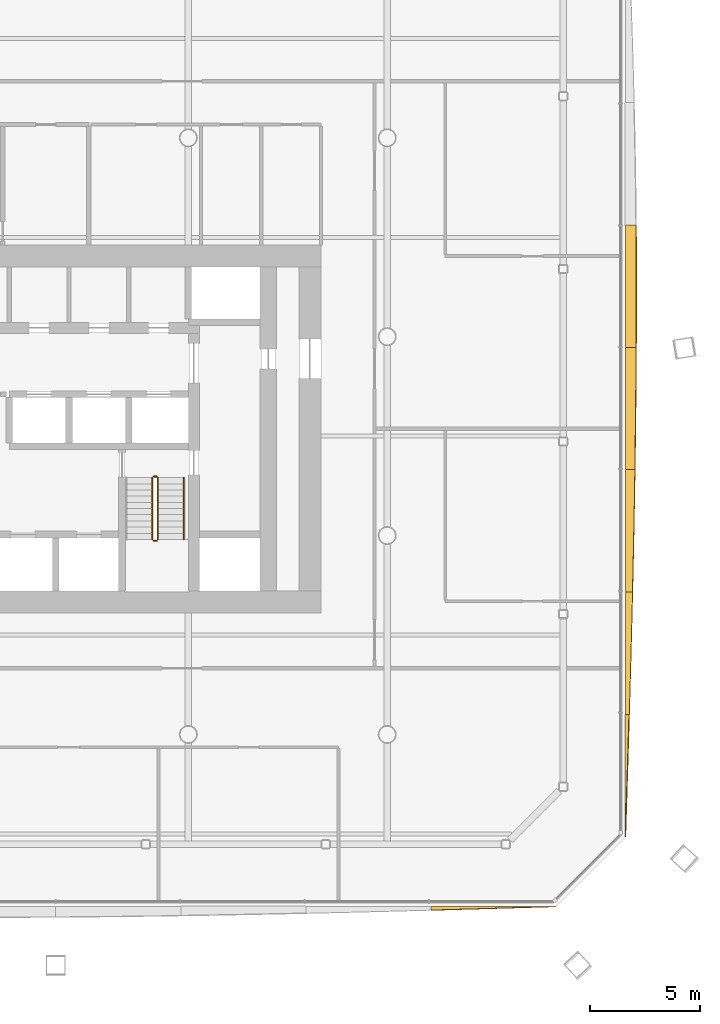
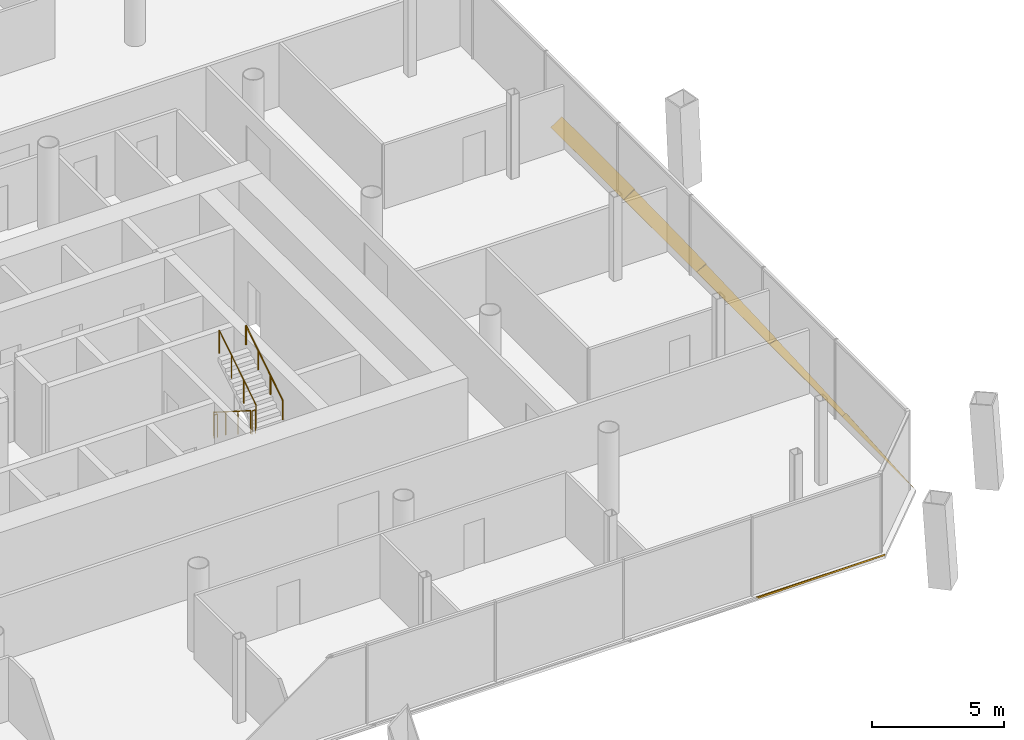
# One storey, part 18 of 20: 6 shading devices, 5 railings.
"""IFC4 building model written with IfcOpenShell, lengths in metres."""

from ifc_helpers import new_model, si_unit, direction, frame, origin, origin_2d, place, context, subcontext, project, spatial, polyline, circle, outline, extrude, material, layer, layer_set, type_object, element, save


model = new_model("IFC4")

# Units and contexts
model_context = context("Model", 3, precision=1e-05, world=origin(), true_north=direction((0.0, 1.0)))
body_context = subcontext(model_context, "Body", "Model", "MODEL_VIEW")
ifc_project = project(units=[si_unit("LENGTHUNIT", "METRE"), si_unit("AREAUNIT", "SQUARE_METRE"), si_unit("VOLUMEUNIT", "CUBIC_METRE"), si_unit("PLANEANGLEUNIT", "RADIAN"), si_unit("MASSUNIT", "GRAM", prefix="KILO")], contexts=[model_context])

# Site, building, storey
site_placement = place(None, origin())
site = spatial("IfcSite", under=ifc_project, at=site_placement, CompositionType="ELEMENT")
building_placement = place(site_placement, origin())
building = spatial("IfcBuilding", under=site, at=building_placement, Name="Tskaro Facet Tower", CompositionType="ELEMENT")
storey_placement = place(building_placement, frame((0.0, 0.0, 66.0)))
storey = spatial("IfcBuildingStorey", under=building, at=storey_placement, Name="L15", CompositionType="ELEMENT", Elevation=66.0)

# Shading devices
ifc_material_1 = material(Name="Bronze anodised aluminium 6063-T6", Category="aluminium")
ifc_layer = layer(ifc_material_1, 0.06005859375, Name="Bronze anodised aluminium 6063-T6")
ifc_layer_set = layer_set([ifc_layer], Name="Bronze anodised aluminium 6063-T6")
shading_device_type = type_object("IfcShadingDeviceType", Name="Bronze sun blade (FN1)", PredefinedType="USERDEFINED", material=ifc_layer_set)
shading_device_1_placement = place(storey_placement, frame((19.976318359375, -25.78369140625, 0.054443359375), z_axis=(-1.278346e-05, 0.422283570937, 0.906463780608), x_axis=(0.999999999918, 5.398245e-06, 1.1587744e-05)))
element("IfcShadingDevice", 1, at=shading_device_1_placement, inside=storey, type_object=shading_device_type, Name="Fin blade south 8", ObjectType="FIN", PredefinedType="USERDEFINED", context=body_context, shape_type="SweptSolid", body=[
    extrude(outline(polyline([(0.0, 0.0), (5.658691405787637, 0.0), (4.951416014846747, -0.022610355675083474), (4.243896484791985, -0.045545112559066625), (3.5366210938510947, -0.0681554682341501), (2.8293457029102043, -0.09076582390923357), (2.1220703104582057, -0.11305177837541736), (1.4145507815281975, -0.13521952478258992), (0.7072753917120611, -0.15706286998086277), (-9.331142416655035e-10, -0.1788031186041914), (0.0, 0.0)])), origin(), (0.0, 0.0, -1.0), 0.06005859375),
])
shading_device_2_placement = place(storey_placement, frame((28.7705078125, -22.635009765625, 0.0458984375), z_axis=(-0.643504002826, 3.4788268e-05, 0.765442745825), x_axis=(2.238639e-05, 0.999999999395, -2.6628427e-05)))
element("IfcShadingDevice", 2, at=shading_device_2_placement, inside=storey, type_object=shading_device_type, Name="Fin blade east 1", ObjectType="FIN", PredefinedType="USERDEFINED", context=body_context, shape_type="SweptSolid", body=[
    extrude(outline(polyline([(0.0, 0.0), (5.539062496648248, 0.0), (5.539062503379998, -0.21800149812182767), (4.846679686243093, -0.19165054007402205), (4.154296870141843, -0.16495560088620076), (3.461914060541673, -0.13810355622884446), (2.76953124651173, -0.11072065476099194), (2.077148438982868, -0.08318064782360438), (1.3847656194874975, -0.05561087068527132), (0.6923828129942893, -0.027726882607868125), (0.0, 0.0)])), origin(), (0.0, 0.0, -1.0), 0.06005859375),
])
shading_device_3_placement = place(storey_placement, frame((28.78857421875, -17.095947265625, 0.056396484375), z_axis=(-0.342051091563, 3.579621e-06, 0.939681355965), x_axis=(1.224413e-06, 0.999999999994, -3.363703e-06)))
element("IfcShadingDevice", 3, at=shading_device_3_placement, inside=storey, type_object=shading_device_type, Name="Fin blade east 2", ObjectType="FIN", PredefinedType="USERDEFINED", context=body_context, shape_type="SweptSolid", body=[
    extrude(outline(polyline([(0.0, 0.0), (5.539306640589511, 0.0), (5.539306640682873, -0.3341089195876263), (4.8469238283905485, -0.31642102664447636), (4.154296874875369, -0.2982743049142314), (3.461914062730835, -0.2792723228687904), (2.769531249988442, -0.25981151203625436), (2.077148437768336, -0.24003777824289402), (1.3847656246514441, -0.21957580126889115), (0.6923828120568392, -0.19880090133406403), (-1.54781940264001e-11, -0.1777130784384126), (0.0, 0.0)])), origin(), (0.0, 0.0, -1.0), 0.06005859375),
])
shading_device_4_placement = place(storey_placement, frame((28.78369140625, -11.556640625, 0.054443359375), z_axis=(-0.422535972004, 7.328455e-06, 0.906346154793), x_axis=(3.096536e-06, 0.999999999973, -6.642117e-06)))
element("IfcShadingDevice", 4, at=shading_device_4_placement, inside=storey, type_object=shading_device_type, Name="Fin blade east 3", ObjectType="FIN", PredefinedType="USERDEFINED", context=body_context, shape_type="SweptSolid", body=[
    extrude(outline(polyline([(0.0, 0.0), (5.539062499851259, -2.3458842172003865e-21), (5.539062500367272, -0.46758997219827864), (4.846679687164138, -0.45524495790776554), (4.1542968749362545, -0.442029799474556), (3.4619140620620104, -0.428047655094943), (2.769531250163018, -0.4131953665726336), (2.077148437617665, -0.3975760921039208), (1.3847656251819425, -0.381411107605508), (0.6923828120998599, -0.3644791371606917), (-6.972242078296333e-12, -0.346677022573179), (0.0, 0.0)])), origin(), (0.0, 0.0, -1.0), 0.06005859375),
])
shading_device_5_placement = place(storey_placement, frame((28.779052734375, -6.017578125, 0.052001953125), z_axis=(-0.499999705036, 6.684677e-06, 0.866025574056), x_axis=(3.342337e-06, 0.999999999978, -5.789102e-06)))
element("IfcShadingDevice", 5, at=shading_device_5_placement, inside=storey, type_object=shading_device_type, Name="Fin blade east 4", ObjectType="FIN", PredefinedType="USERDEFINED", context=body_context, shape_type="SweptSolid", body=[
    extrude(outline(polyline([(0.0, 0.0), (5.539062499876244, 0.0), (5.539062500689324, -0.557828191957817), (4.846679687650339, -0.5528017131043428), (4.154296874174063, -0.5466853656702054), (3.461914062489852, -0.5395685114398358), (2.7695312497709947, -0.5316952908942137), (2.0771484372122004, -0.5223986995025178), (1.3847656258481167, -0.5124351035800002), (0.6923828118173863, -0.5012922772923888), (3.94720306425327e-10, -0.48936037623346573), (0.0, 0.0)])), origin(), (0.0, 0.0, -1.0), 0.06005859375),
])
shading_device_6_placement = place(storey_placement, frame((28.774658203125, -0.478515625, 0.049072265625), z_axis=(-0.573722090972, 1.0820765e-05, 0.819050036453), x_axis=(6.208112e-06, 0.999999999941, -8.862748e-06)))
element("IfcShadingDevice", 6, at=shading_device_6_placement, inside=storey, type_object=shading_device_type, Name="Fin blade east 5", ObjectType="FIN", PredefinedType="USERDEFINED", context=body_context, shape_type="SweptSolid", body=[
    extrude(outline(polyline([(0.0, 0.0), (5.539062499675719, -4.691768434400773e-21), (5.539062499955037, -0.5860028542664856), (4.846679686867919, -0.5923031184587715), (4.15429687550567, -0.5967032579747797), (3.461914062188883, -0.5991433782965672), (2.9245605474628897, -0.5996833739420767), (2.769531250596966, -0.5996833739420767), (2.0771484379180576, -0.5988033460388751), (1.3847656250197062, -0.5970432902324718), (0.6923828110343635, -0.5938632108773572), (-1.0066655654787781e-09, -0.5896630347491665), (0.0, 0.0)])), origin(), (0.0, 0.0, -1.0), 0.06005859375),
])

# Railings
ifc_material_2 = material(Name="Stainless steel", Category="steel")
railing_type_1 = type_object("IfcRailingType", Name="RL-GUARD-1100", PredefinedType="GUARDRAIL", material=ifc_material_2)
railing_1_placement = place(storey_placement, frame((7.375, -6.375, 0.17724609375)))
element("IfcRailing", 7, at=railing_1_placement, inside=storey, type_object=railing_type_1, Name="L15 ST-2 stair guard 1", PredefinedType="GUARDRAIL", context=body_context, shape_type="SweptSolid", body=[
    extrude(circle(Radius=0.02392578125, at=origin_2d()), frame((0.0, 0.0, 1.076171875), z_axis=(0.0, -0.844908973607, 0.534910110503), x_axis=(1.0, 0.0, 0.0)), (0.0, 0.0, 1.0), 3.31396484375),
    extrude(circle(Radius=0.02099609375, at=origin_2d()), origin(), (0.0, 0.0, 1.0), 1.052001953125),
    extrude(circle(Radius=0.02099609375, at=origin_2d()), frame((0.0, -0.933349609375, 0.5908203125)), (0.0, 0.0, 1.0), 1.052001953125),
    extrude(circle(Radius=0.02099609375, at=origin_2d()), frame((0.0, -1.86669921875, 1.181884765625)), (0.0, 0.0, 1.0), 1.052001953125),
    extrude(circle(Radius=0.02099609375, at=origin_2d()), frame((0.0, -2.800048828125, 1.772705078125)), (0.0, 0.0, 1.0), 1.052001953125),
])
railing_2_placement = place(storey_placement, frame((7.425048828125, -9.22509765625, 1.949951171875)))
element("IfcRailing", 8, at=railing_2_placement, inside=storey, type_object=railing_type_1, Name="L15 ST-2 stair guard 2", PredefinedType="GUARDRAIL", context=body_context, shape_type="SweptSolid", body=[
    extrude(circle(Radius=0.02392578125, at=origin_2d()), frame((0.0, 0.0, 1.076171875), z_axis=(1.0, 0.0, 0.0), x_axis=(0.0, 1.0, 0.0)), (0.0, 0.0, 1.0), 0.14990234375),
    extrude(circle(Radius=0.02099609375, at=origin_2d()), origin(), (0.0, 0.0, 1.0), 1.052001953125),
    extrude(circle(Radius=0.02099609375, at=origin_2d()), frame((0.14990234375, 0.0, 0.0)), (0.0, 0.0, 1.0), 1.052001953125),
])
railing_3_placement = place(storey_placement, frame((7.625, -9.175048828125, 2.127197265625)))
element("IfcRailing", 9, at=railing_3_placement, inside=storey, type_object=railing_type_1, Name="L15 ST-2 stair guard 3", PredefinedType="GUARDRAIL", context=body_context, shape_type="SweptSolid", body=[
    extrude(circle(Radius=0.02392578125, at=origin_2d()), frame((0.0, 0.0, 1.076171875), z_axis=(0.0, 0.844908973607, 0.534910110503), x_axis=(-1.0, 0.0, 0.0)), (0.0, 0.0, 1.0), 3.31396484375),
    extrude(circle(Radius=0.02099609375, at=origin_2d()), origin(), (0.0, 0.0, 1.0), 1.052001953125),
    extrude(circle(Radius=0.02099609375, at=origin_2d()), frame((0.0, 0.933349609375, 0.5908203125)), (0.0, 0.0, 1.0), 1.052001953125),
    extrude(circle(Radius=0.02099609375, at=origin_2d()), frame((0.0, 1.86669921875, 1.181884765625)), (0.0, 0.0, 1.0), 1.052001953125),
    extrude(circle(Radius=0.02099609375, at=origin_2d()), frame((0.0, 2.800048828125, 1.772705078125)), (0.0, 0.0, 1.0), 1.052001953125),
])
railing_4_placement = place(storey_placement, frame((7.425048828125, -6.324951171875, 0.0)))
element("IfcRailing", 10, at=railing_4_placement, inside=storey, type_object=railing_type_1, Name="L15 ST-2 stair guard 4", PredefinedType="GUARDRAIL", context=body_context, shape_type="SweptSolid", body=[
    extrude(circle(Radius=0.02392578125, at=origin_2d()), frame((0.0, 0.0, 1.076171875), z_axis=(1.0, 0.0, 0.0), x_axis=(0.0, 1.0, 0.0)), (0.0, 0.0, 1.0), 0.14990234375),
    extrude(circle(Radius=0.02099609375, at=origin_2d()), origin(), (0.0, 0.0, 1.0), 1.052001953125),
    extrude(circle(Radius=0.02099609375, at=origin_2d()), frame((0.14990234375, 0.0, 0.0)), (0.0, 0.0, 1.0), 1.052001953125),
])
railing_type_2 = type_object("IfcRailingType", Name="RL-HANDRAIL-900", PredefinedType="HANDRAIL", material=ifc_material_2)
railing_5_placement = place(storey_placement, frame((8.800048828125, -9.175048828125, 2.127197265625)))
element("IfcRailing", 11, at=railing_5_placement, inside=storey, type_object=railing_type_2, Name="L15 ST-2 stair handrail 2", PredefinedType="HANDRAIL", context=body_context, shape_type="SweptSolid", body=[
    extrude(circle(Radius=0.02392578125, at=origin_2d()), frame((0.0, 0.0, 0.8759765625), z_axis=(0.0, 0.844908973607, 0.534910110503), x_axis=(-1.0, 0.0, 0.0)), (0.0, 0.0, 1.0), 3.31396484375),
    extrude(circle(Radius=0.02099609375, at=origin_2d()), origin(), (0.0, 0.0, 1.0), 0.851806640625),
    extrude(circle(Radius=0.02099609375, at=origin_2d()), frame((0.0, 0.933349609375, 0.5908203125)), (0.0, 0.0, 1.0), 0.851806640625),
    extrude(circle(Radius=0.02099609375, at=origin_2d()), frame((0.0, 1.86669921875, 1.181884765625)), (0.0, 0.0, 1.0), 0.851806640625),
    extrude(circle(Radius=0.02099609375, at=origin_2d()), frame((0.0, 2.800048828125, 1.772705078125)), (0.0, 0.0, 1.0), 0.851806640625),
])

save(model, "model.ifc")
